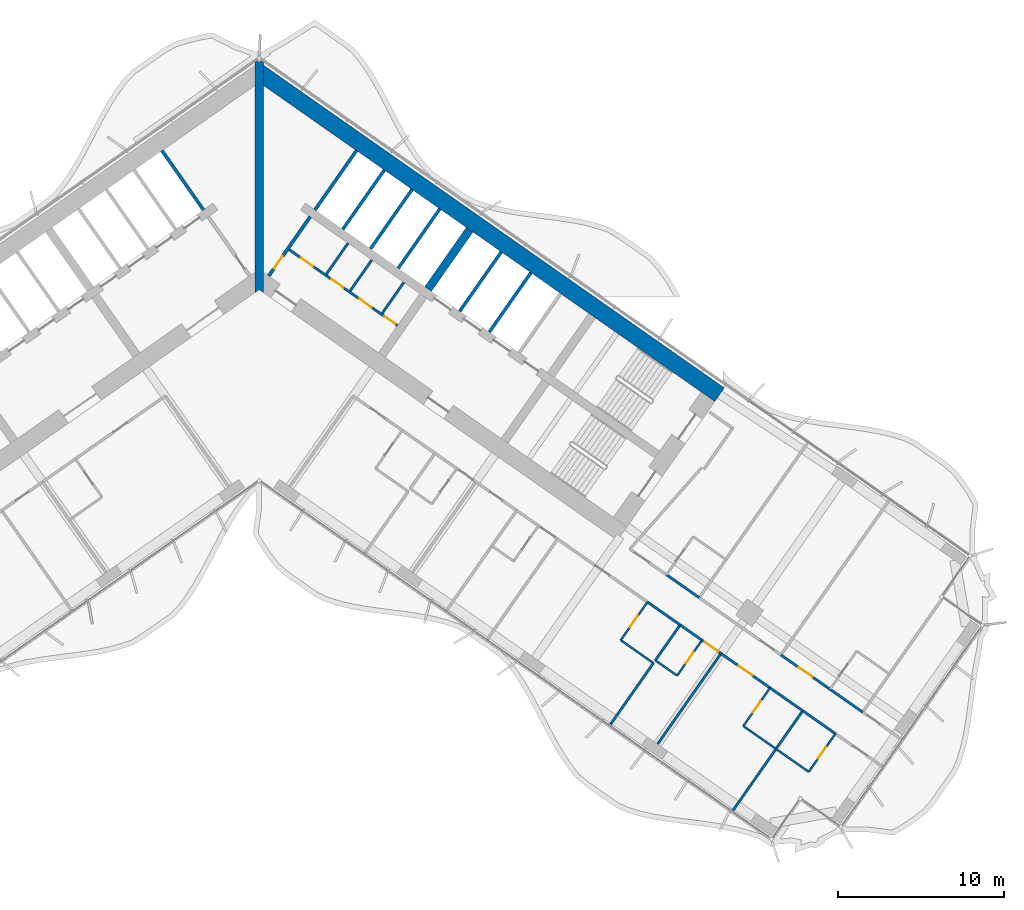
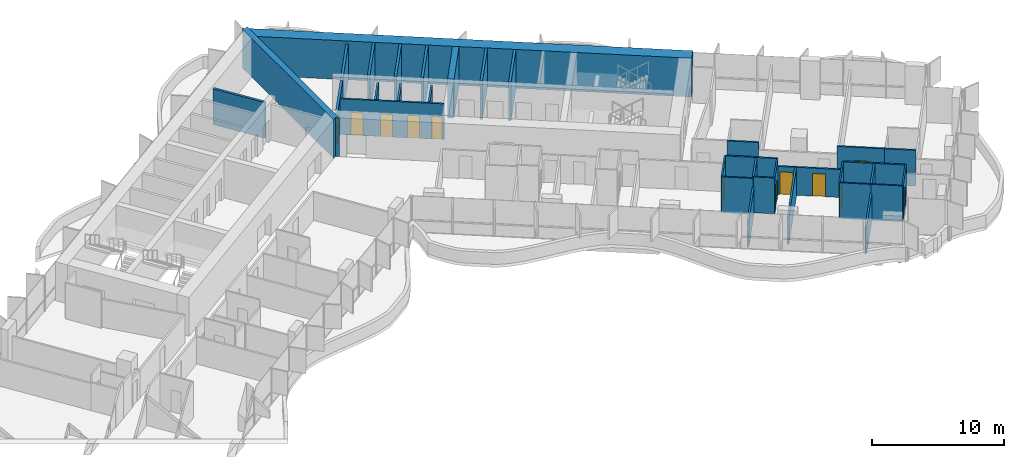
# One storey, part 16 of 24: 37 walls, 12 doors, 12 openings.
"""IFC4 building model written with IfcOpenShell, lengths in metres."""

from ifc_helpers import new_model, si_unit, direction, frame, frame_2d, origin, place, context, subcontext, project, spatial, polyline, rectangle, outline, extrude, material, layer, layer_set, type_object, element, fill, save


model = new_model("IFC4")

# Units and contexts
model_context = context("Model", 3, precision=1e-05, world=origin(), true_north=direction((0.0, 1.0)))
body_context = subcontext(model_context, "Body", "Model", "MODEL_VIEW")
ifc_project = project(units=[si_unit("LENGTHUNIT", "METRE"), si_unit("AREAUNIT", "SQUARE_METRE"), si_unit("VOLUMEUNIT", "CUBIC_METRE"), si_unit("PLANEANGLEUNIT", "RADIAN"), si_unit("MASSUNIT", "GRAM", prefix="KILO")], contexts=[model_context])

# Site, building, storey
site_placement = place(None, origin())
site = spatial("IfcSite", under=ifc_project, at=site_placement, CompositionType="ELEMENT")
building_placement = place(site_placement, origin())
building = spatial("IfcBuilding", under=site, at=building_placement, Name="Tel Ilan Convention Tower", CompositionType="ELEMENT")
storey_placement = place(building_placement, frame((0.0, 0.0, 65.300048828125)))
storey = spatial("IfcBuildingStorey", under=building, at=storey_placement, Name="L11", CompositionType="ELEMENT", Elevation=65.300048828125)

# Wall, openings, doors
ifc_material_1 = material(Name="Gypsum Plasterboard on Steel Stud", Category="steel")
ifc_layer_1 = layer(ifc_material_1, 0.14990234375)
ifc_layer_set_1 = layer_set([ifc_layer_1], Name="Core Room Partition Wall 150 mm EI 60")
wall_type_1 = type_object("IfcWallType", Name="Core Room Partition Wall 150 mm EI 60", PredefinedType="PARTITIONING", material=ifc_layer_set_1)
wall_1_placement = place(storey_placement, frame((1.802490234375, 1.179443359375, 0.0), z_axis=(0.0, 0.0, 1.0), x_axis=(0.819142461705, -0.573590121456, 0.0)))
wall_1 = element("IfcWall", 1, at=wall_1_placement, inside=storey, type_object=wall_type_1, Name="L11 core wall wc-h1", PredefinedType="PARTITIONING", context=body_context, shape_type="SweptSolid", body=[
    extrude(rectangle(XDim=7.949951171875, YDim=0.14990234375, at=frame_2d((3.97509765625, 0.0))), origin(), (0.0, 0.0, 1.0), 3.320068359375),
])
opening_1_placement = place(wall_1_placement, frame((0.85009765625, 0.0, 0.0)))
opening_1 = element("IfcOpeningElement", 2, at=opening_1_placement, cuts=wall_1, Name="Opening CD1211", PredefinedType="OPENING", context=body_context, shape_type="SweptSolid", body=[
    extrude(rectangle(XDim=0.89990234375, YDim=2.10009765625, at=frame_2d((0.449951171875, 1.050048828125))), frame((0.0, 0.0849609375, 0.0), z_axis=(0.0, -1.0, 0.0), x_axis=(1.0, 0.0, 0.0)), (0.0, 0.0, 1.0), 0.169921875),
])
opening_2_placement = place(wall_1_placement, frame((3.10009765625, 0.0, 0.0)))
opening_2 = element("IfcOpeningElement", 3, at=opening_2_placement, cuts=wall_1, Name="Opening CD1208", PredefinedType="OPENING", context=body_context, shape_type="SweptSolid", body=[
    extrude(rectangle(XDim=0.89990234375, YDim=2.10009765625, at=frame_2d((0.449951171875, 1.050048828125))), frame((0.0, 0.0849609375, 0.0), z_axis=(0.0, -1.0, 0.0), x_axis=(1.0, 0.0, 0.0)), (0.0, 0.0, 1.0), 0.169921875),
])
opening_3_placement = place(wall_1_placement, frame((5.14990234375, 0.0, 0.0)))
opening_3 = element("IfcOpeningElement", 4, at=opening_3_placement, cuts=wall_1, Name="Opening CD1210", PredefinedType="OPENING", context=body_context, shape_type="SweptSolid", body=[
    extrude(rectangle(XDim=0.89990234375, YDim=2.10009765625, at=frame_2d((0.449951171875, 1.050048828125))), frame((0.0, 0.0849609375, 0.0), z_axis=(0.0, -1.0, 0.0), x_axis=(1.0, 0.0, 0.0)), (0.0, 0.0, 1.0), 0.169921875),
])
opening_4_placement = place(wall_1_placement, frame((7.0, 0.0, 0.0)))
opening_4 = element("IfcOpeningElement", 5, at=opening_4_placement, cuts=wall_1, Name="Opening CD1209", PredefinedType="OPENING", context=body_context, shape_type="SweptSolid", body=[
    extrude(rectangle(XDim=0.800048828125, YDim=2.10009765625, at=frame_2d((0.39990234375, 1.050048828125))), frame((0.0, 0.0849609375, 0.0), z_axis=(0.0, -1.0, 0.0), x_axis=(1.0, 0.0, 0.0)), (0.0, 0.0, 1.0), 0.169921875),
])
ifc_material_2 = material(Name="Galvanised Steel Door Leaf", Category="steel")
door_type_1 = type_object("IfcDoorType", Name="Store Door 800 x 2100 FD60", OperationType="NOTDEFINED", PredefinedType="DOOR", material=ifc_material_2)
door_1_placement = place(opening_4_placement, origin())
door_1 = element("IfcDoor", 6, at=door_1_placement, inside=storey, type_object=door_type_1, Name="Cleaner's store door", OperationType="SINGLE_SWING_RIGHT", OverallHeight=2.10009765625, OverallWidth=0.800048828125, PredefinedType="DOOR", context=body_context, shape_type="SweptSolid", body=[
    extrude(rectangle(XDim=0.800048828125, YDim=2.10009765625, at=frame_2d((0.39990234375, 1.050048828125))), frame((0.0, 0.02490234375, 0.0), z_axis=(0.0, -1.0, 0.0), x_axis=(1.0, 0.0, 0.0)), (0.0, 0.0, 1.0), 0.050048828125),
])
fill(opening_4, door_1)
ifc_material_3 = material(Name="Laminated Timber Door Leaf", Category="wood")
door_type_2 = type_object("IfcDoorType", Name="Toilet Door 900 x 2100 FD30S", OperationType="NOTDEFINED", PredefinedType="DOOR", material=ifc_material_3)
door_2_placement = place(opening_1_placement, origin())
door_2 = element("IfcDoor", 7, at=door_2_placement, inside=storey, type_object=door_type_2, Name="Women's WC door", OperationType="SINGLE_SWING_RIGHT", OverallHeight=2.10009765625, OverallWidth=0.89990234375, PredefinedType="DOOR", context=body_context, shape_type="SweptSolid", body=[
    extrude(rectangle(XDim=0.89990234375, YDim=2.10009765625, at=frame_2d((0.449951171875, 1.050048828125))), frame((0.0, 0.02490234375, 0.0), z_axis=(0.0, -1.0, 0.0), x_axis=(1.0, 0.0, 0.0)), (0.0, 0.0, 1.0), 0.050048828125),
])
fill(opening_1, door_2)
door_3_placement = place(opening_2_placement, origin())
door_3 = element("IfcDoor", 8, at=door_3_placement, inside=storey, type_object=door_type_2, Name="Accessible WC door", OperationType="SINGLE_SWING_RIGHT", OverallHeight=2.10009765625, OverallWidth=0.89990234375, PredefinedType="DOOR", context=body_context, shape_type="SweptSolid", body=[
    extrude(rectangle(XDim=0.89990234375, YDim=2.10009765625, at=frame_2d((0.449951171875, 1.050048828125))), frame((0.0, 0.02490234375, 0.0), z_axis=(0.0, -1.0, 0.0), x_axis=(1.0, 0.0, 0.0)), (0.0, 0.0, 1.0), 0.050048828125),
])
fill(opening_2, door_3)
door_4_placement = place(opening_3_placement, origin())
door_4 = element("IfcDoor", 9, at=door_4_placement, inside=storey, type_object=door_type_2, Name="Men's WC door", OperationType="SINGLE_SWING_RIGHT", OverallHeight=2.10009765625, OverallWidth=0.89990234375, PredefinedType="DOOR", context=body_context, shape_type="SweptSolid", body=[
    extrude(rectangle(XDim=0.89990234375, YDim=2.10009765625, at=frame_2d((0.449951171875, 1.050048828125))), frame((0.0, 0.02490234375, 0.0), z_axis=(0.0, -1.0, 0.0), x_axis=(1.0, 0.0, 0.0)), (0.0, 0.0, 1.0), 0.050048828125),
])
fill(opening_3, door_4)

# Walls
for number, where, z_axis, x_axis, name in (
    (10, (4.03662109375, -0.29345703125, 0.0), (0.0, 0.0, 1.0), (0.573599181114, 0.819136117764, 0.0), "L11 core wall wc-v0"),
    (11, (5.47021484375, -1.297119140625, 0.0), (0.0, 0.0, 1.0), (0.573599181114, 0.819136117764, 0.0), "L11 core wall wc-v1"),
    (12, (7.395263671875, -2.64501953125, 0.0), (0.0, 0.0, 1.0), (0.573599181114, 0.819136117764, 0.0), "L11 core wall wc-v2"),
):
    element("IfcWall", number, at=place(storey_placement, frame(where, z_axis=z_axis, x_axis=x_axis)), inside=storey, type_object=wall_type_1, Name=name, PredefinedType="PARTITIONING", context=body_context, shape_type="SweptSolid", body=[
        extrude(rectangle(XDim=2.27490234375, YDim=0.14990234375, at=frame_2d((1.137451171875, 0.0))), origin(), (0.0, 0.0, 1.0), 3.320068359375),
    ])
ifc_material_4 = material(Name="Concrete C30/37", Category="concrete")
ifc_layer_2 = layer(ifc_material_4, 0.199951171875)
ifc_layer_set_2 = layer_set([ifc_layer_2], Name="Core Service Room Wall 200 mm C30/37")
wall_type_2 = type_object("IfcWallType", Name="Core Service Room Wall 200 mm C30/37", PredefinedType="SOLIDWALL", material=ifc_layer_set_2)
wall_2_placement = place(storey_placement, frame((-3.355224609375, 3.5712890625, 0.0), z_axis=(0.0, 0.0, 1.0), x_axis=(-0.57356780395, 0.819158088694, 0.0)))
element("IfcWall", 13, at=wall_2_placement, inside=storey, type_object=wall_type_2, Name="L11 core wall apex-W-b", PredefinedType="SOLIDWALL", context=body_context, shape_type="SweptSolid", body=[
    extrude(rectangle(XDim=4.35009765625, YDim=0.199951171875, at=frame_2d((2.175048828125, 0.0))), origin(), (0.0, 0.0, 1.0), 3.320068359375),
])

# Wall, opening, door
wall_3_placement = place(storey_placement, frame((0.573486328125, -0.401611328125, 0.0), z_axis=(0.0, 0.0, 1.0), x_axis=(0.57356780395, 0.819158088694, 0.0)))
wall_3 = element("IfcWall", 14, at=wall_3_placement, inside=storey, type_object=wall_type_2, Name="L11 core wall apex-E", PredefinedType="SOLIDWALL", context=body_context, shape_type="SweptSolid", body=[
    extrude(rectangle(XDim=4.35009765625, YDim=0.199951171875, at=frame_2d((2.175048828125, 0.0))), origin(), (0.0, 0.0, 1.0), 3.320068359375),
])
opening_5_placement = place(wall_3_placement, frame((0.550048828125, 0.0, 0.0)))
opening_5 = element("IfcOpeningElement", 15, at=opening_5_placement, cuts=wall_3, Name="Opening CD1201", PredefinedType="OPENING", context=body_context, shape_type="SweptSolid", body=[
    extrude(rectangle(XDim=0.89990234375, YDim=2.10009765625, at=frame_2d((0.449951171875, 1.050048828125))), frame((0.0, 0.10986328125, 0.0), z_axis=(0.0, -1.0, 0.0), x_axis=(1.0, 0.0, 0.0)), (0.0, 0.0, 1.0), 0.219970703125),
])
ifc_material_5 = material(Name="Galvanised Steel Door Leaf", Category="steel")
door_type_3 = type_object("IfcDoorType", Name="Service Room Door 900 x 2100 FD60", OperationType="NOTDEFINED", PredefinedType="DOOR", material=ifc_material_5)
door_5_placement = place(opening_5_placement, origin())
door_5 = element("IfcDoor", 16, at=door_5_placement, inside=storey, type_object=door_type_3, Name="Data Room door", OperationType="SINGLE_SWING_RIGHT", OverallHeight=2.10009765625, OverallWidth=0.89990234375, PredefinedType="DOOR", context=body_context, shape_type="SweptSolid", body=[
    extrude(rectangle(XDim=0.89990234375, YDim=2.10009765625, at=frame_2d((0.449951171875, 1.050048828125))), frame((0.0, 0.02490234375, 0.0), z_axis=(0.0, -1.0, 0.0), x_axis=(1.0, 0.0, 0.0)), (0.0, 0.0, 1.0), 0.050048828125),
])
fill(opening_5, door_5)

# Walls
wall_4_placement = place(storey_placement, frame((3.355224609375, 3.5712890625, 0.0), z_axis=(0.0, 0.0, 1.0), x_axis=(0.57356780395, 0.819158088694, 0.0)))
element("IfcWall", 17, at=wall_4_placement, inside=storey, type_object=wall_type_2, Name="L11 core wall apex-E-b", PredefinedType="SOLIDWALL", context=body_context, shape_type="SweptSolid", body=[
    extrude(rectangle(XDim=4.35009765625, YDim=0.199951171875, at=frame_2d((2.175048828125, 0.0))), origin(), (0.0, 0.0, 1.0), 3.320068359375),
])
ifc_material_6 = material(Name="Concrete C60/75", Category="concrete")
ifc_layer_3 = layer(ifc_material_6, 1.0)
ifc_layer_set_3 = layer_set([ifc_layer_3], Name="Core Shear Wall 1000 mm C60/75")
wall_type_3 = type_object("IfcWallType", Name="Core Shear Wall 1000 mm C60/75", PredefinedType="SHEAR", material=ifc_layer_set_3)
wall_5_placement = place(storey_placement, frame((-0.036865234375, 11.8671875, 0.0), z_axis=(0.0, 0.0, 1.0), x_axis=(0.819155306259, -0.573571777746, 0.0)))
element("IfcWall", 18, at=wall_5_placement, inside=storey, type_object=wall_type_3, Name="L11 core wall E-back", PredefinedType="SHEAR", context=body_context, shape_type="SweptSolid", body=[
    extrude(outline(polyline([(33.8369140625, 0.5), (0.0, 0.5), (0.7001953125, -0.499755859375), (33.8369140625, -0.5), (33.8369140625, 0.5)])), origin(), (0.0, 0.0, 1.0), 3.599853515625),
])
ifc_material_7 = material(Name="Concrete C60/75", Category="concrete")
ifc_layer_4 = layer(ifc_material_7, 0.5)
ifc_layer_set_4 = layer_set([ifc_layer_4], Name="Core Shear Wall 500 mm C60/75")
wall_type_4 = type_object("IfcWallType", Name="Core Shear Wall 500 mm C60/75", PredefinedType="SHEAR", material=ifc_layer_set_4)
wall_6_placement = place(storey_placement, frame((10.154296875, -1.189208984375, 0.0), z_axis=(0.0, 0.0, 1.0), x_axis=(0.573594173421, 0.819139624372, 0.0)))
element("IfcWall", 19, at=wall_6_placement, inside=storey, type_object=wall_type_4, Name="L11 core wall E-cross1-2", PredefinedType="SHEAR", context=body_context, shape_type="SweptSolid", body=[
    extrude(outline(polyline([(4.349853515625, -0.25), (4.349853515625, 0.25), (-0.000244140625, 0.25), (-0.000244140625, -0.25), (4.349853515625, -0.25)])), origin(), (0.0, 0.0, 1.0), 3.599853515625),
])
wall_7_placement = place(storey_placement, frame((0.0, -1.395751953125, 0.0), z_axis=(0.0, 0.0, 1.0), x_axis=(0.0, 1.0, 0.0)))
element("IfcWall", 20, at=wall_7_placement, inside=storey, type_object=wall_type_4, Name="L11 core wall K-central", PredefinedType="SHEAR", context=body_context, shape_type="SweptSolid", body=[
    extrude(outline(polyline([(0.0, -0.25), (0.175048828125, -0.25), (1.220703125, -0.25), (12.451904296875, -0.25), (13.84765625, -0.25), (13.85693359375, -0.25), (13.96826171875, -0.172119140625), (13.84765625, 0.0), (13.96826171875, 0.172119140625), (13.85693359375, 0.25), (13.84765625, 0.25), (12.451904296875, 0.25), (1.220703125, 0.25), (0.175048828125, 0.25), (0.0, 0.25), (0.175048828125, 0.0), (0.0, -0.25)])), origin(), (0.0, 0.0, 1.0), 3.599853515625),
])
ifc_material_8 = material(Name="Plasterboard on Steel Studs", Category="steel")
ifc_layer_5 = layer(ifc_material_8, 0.14990234375)
ifc_layer_set_5 = layer_set([ifc_layer_5], Name="Fire-rated Partition 150 EI 60")
wall_type_5 = type_object("IfcWallType", Name="Fire-rated Partition 150 EI 60", PredefinedType="PARTITIONING", material=ifc_layer_set_5)
wall_8_placement = place(storey_placement, frame((24.49072265625, -18.369384765625, 0.0), z_axis=(0.0, 0.0, 1.0), x_axis=(0.819179439794, -0.573537309527, 0.0)))
element("IfcWall", 21, at=wall_8_placement, inside=storey, type_object=wall_type_5, Name="Partition 002", PredefinedType="PARTITIONING", context=body_context, shape_type="SweptSolid", body=[
    extrude(rectangle(XDim=2.404296875, YDim=0.14990234375, at=frame_2d((1.2021484375, 0.0))), origin(), (0.0, 0.0, 1.0), 3.320068359375),
])

# Wall, opening, door
wall_9_placement = place(storey_placement, frame((31.37158203125, -23.1875, 0.0), z_axis=(0.0, 0.0, 1.0), x_axis=(0.819145961204, -0.573585123798, 0.0)))
wall_9 = element("IfcWall", 22, at=wall_9_placement, inside=storey, type_object=wall_type_5, Name="Partition 004", PredefinedType="PARTITIONING", context=body_context, shape_type="SweptSolid", body=[
    extrude(rectangle(XDim=3.60302734375, YDim=0.14990234375, at=frame_2d((1.801513671875, 0.0))), origin(), (0.0, 0.0, 1.0), 3.320068359375),
])
opening_6_placement = place(wall_9_placement, frame((1.302001953125, 0.0, 0.0)))
opening_6 = element("IfcOpeningElement", 23, at=opening_6_placement, cuts=wall_9, Name="Opening L11-038", PredefinedType="OPENING", context=body_context, shape_type="SweptSolid", body=[
    extrude(rectangle(XDim=1.0, YDim=2.10009765625, at=frame_2d((0.5, 1.050048828125))), frame((0.0, 0.0849609375, 0.0), z_axis=(0.0, -1.0, 0.0), x_axis=(1.0, 0.0, 0.0)), (0.0, 0.0, 1.0), 0.169921875),
])
ifc_material_9 = material(Name="Timber Door Leaf in Steel Frame", Category="steel")
door_type_4 = type_object("IfcDoorType", Name="Hotel Room Entrance Fire Door 1000x2100", OperationType="NOTDEFINED", PredefinedType="DOOR", material=ifc_material_9)
door_6_placement = place(opening_6_placement, origin())
door_6 = element("IfcDoor", 24, at=door_6_placement, inside=storey, type_object=door_type_4, Name="Door L11-038", OperationType="SINGLE_SWING_RIGHT", OverallHeight=2.10009765625, OverallWidth=1.0, PredefinedType="DOOR", context=body_context, shape_type="SweptSolid", body=[
    extrude(rectangle(XDim=1.0, YDim=2.10009765625, at=frame_2d((0.5, 1.050048828125))), frame((0.0, 0.02490234375, 0.0), z_axis=(0.0, -1.0, 0.0), x_axis=(1.0, 0.0, 0.0)), (0.0, 0.0, 1.0), 0.050048828125),
])
fill(opening_6, door_6)

# Walls
wall_10_placement = place(storey_placement, frame((34.32080078125, -25.25244140625, 0.0), z_axis=(0.0, 0.0, 1.0), x_axis=(0.819160338113, -0.573564591361, 0.0)))
element("IfcWall", 25, at=wall_10_placement, inside=storey, type_object=wall_type_5, Name="Partition 005", PredefinedType="PARTITIONING", context=body_context, shape_type="SweptSolid", body=[
    extrude(rectangle(XDim=2.403564453125, YDim=0.14990234375, at=frame_2d((1.20166015625, 0.0))), origin(), (0.0, 0.0, 1.0), 3.320068359375),
])
wall_11_placement = place(storey_placement, frame((25.31298828125, -21.38671875, 0.0), z_axis=(0.0, 0.0, 1.0), x_axis=(-0.819146032251, 0.573585022335, 0.0)))
element("IfcWall", 26, at=wall_11_placement, inside=storey, type_object=wall_type_5, Name="Partition 015", PredefinedType="PARTITIONING", context=body_context, shape_type="SweptSolid", body=[
    extrude(rectangle(XDim=2.404052734375, YDim=0.14990234375, at=frame_2d((1.2021484375, 0.0))), origin(), (0.0, 0.0, 1.0), 3.320068359375),
])

# Wall, opening, door
wall_12_placement = place(storey_placement, frame((27.7705078125, -23.107421875, 0.0), z_axis=(0.0, 0.0, 1.0), x_axis=(-0.819117471667, 0.573625808005, 0.0)))
wall_12 = element("IfcWall", 27, at=wall_12_placement, inside=storey, type_object=wall_type_5, Name="Partition 016", PredefinedType="PARTITIONING", context=body_context, shape_type="SweptSolid", body=[
    extrude(rectangle(XDim=1.4033203125, YDim=0.14990234375, at=frame_2d((0.70166015625, 0.0))), origin(), (0.0, 0.0, 1.0), 2.599853515625),
])
opening_7_placement = place(wall_12_placement, frame((0.201904296875, 0.0, 0.0)))
opening_7 = element("IfcOpeningElement", 28, at=opening_7_placement, cuts=wall_12, Name="Opening L11-029", PredefinedType="OPENING", context=body_context, shape_type="SweptSolid", body=[
    extrude(rectangle(XDim=1.0, YDim=2.10009765625, at=frame_2d((0.5, 1.050048828125))), frame((0.0, 0.0849609375, 0.0), z_axis=(0.0, -1.0, 0.0), x_axis=(1.0, 0.0, 0.0)), (0.0, 0.0, 1.0), 0.169921875),
])
door_7_placement = place(opening_7_placement, origin())
door_7 = element("IfcDoor", 29, at=door_7_placement, inside=storey, type_object=door_type_4, Name="Door L11-029", OperationType="SINGLE_SWING_RIGHT", OverallHeight=2.10009765625, OverallWidth=1.0, PredefinedType="DOOR", context=body_context, shape_type="SweptSolid", body=[
    extrude(rectangle(XDim=1.0, YDim=2.10009765625, at=frame_2d((0.5, 1.050048828125))), frame((0.0, 0.02490234375, 0.0), z_axis=(0.0, -1.0, 0.0), x_axis=(1.0, 0.0, 0.0)), (0.0, 0.0, 1.0), 0.050048828125),
])
fill(opening_7, door_7)

# Wall
wall_13_placement = place(storey_placement, frame((26.62353515625, -22.30419921875, 0.0), z_axis=(0.0, 0.0, 1.0), x_axis=(-0.819189013667, 0.573523634986, 0.0)))
element("IfcWall", 30, at=wall_13_placement, inside=storey, type_object=wall_type_5, Name="Partition 017", PredefinedType="PARTITIONING", context=body_context, shape_type="SweptSolid", body=[
    extrude(rectangle(XDim=1.60400390625, YDim=0.14990234375, at=frame_2d((0.802001953125, 0.0))), origin(), (0.0, 0.0, 1.0), 3.320068359375),
])

# Wall, opening, door
wall_14_placement = place(storey_placement, frame((30.718505859375, -25.171630859375, 0.0), z_axis=(0.0, 0.0, 1.0), x_axis=(-0.819145961204, 0.573585123798, 0.0)))
wall_14 = element("IfcWall", 31, at=wall_14_placement, inside=storey, type_object=wall_type_5, Name="Partition 018", PredefinedType="PARTITIONING", context=body_context, shape_type="SweptSolid", body=[
    extrude(rectangle(XDim=3.60302734375, YDim=0.14990234375, at=frame_2d((1.801513671875, 0.0))), origin(), (0.0, 0.0, 1.0), 2.599853515625),
])
opening_8_placement = place(wall_14_placement, frame((1.301025390625, 0.0, 0.0)))
opening_8 = element("IfcOpeningElement", 32, at=opening_8_placement, cuts=wall_14, Name="Opening L11-031", PredefinedType="OPENING", context=body_context, shape_type="SweptSolid", body=[
    extrude(rectangle(XDim=1.0, YDim=2.10009765625, at=frame_2d((0.5, 1.050048828125))), frame((0.0, 0.0849609375, 0.0), z_axis=(0.0, -1.0, 0.0), x_axis=(1.0, 0.0, 0.0)), (0.0, 0.0, 1.0), 0.169921875),
])
door_8_placement = place(opening_8_placement, origin())
door_8 = element("IfcDoor", 33, at=door_8_placement, inside=storey, type_object=door_type_4, Name="Door L11-031", OperationType="SINGLE_SWING_LEFT", OverallHeight=2.10009765625, OverallWidth=1.0, PredefinedType="DOOR", context=body_context, shape_type="SweptSolid", body=[
    extrude(rectangle(XDim=1.0, YDim=2.10009765625, at=frame_2d((0.5, 1.050048828125))), frame((0.0, 0.02490234375, 0.0), z_axis=(0.0, -1.0, 0.0), x_axis=(1.0, 0.0, 0.0)), (0.0, 0.0, 1.0), 0.050048828125),
])
fill(opening_8, door_8)

# Walls
wall_15_placement = place(storey_placement, frame((32.685302734375, -26.548828125, 0.0), z_axis=(0.0, 0.0, 1.0), x_axis=(-0.819146032251, 0.573585022335, 0.0)))
element("IfcWall", 34, at=wall_15_placement, inside=storey, type_object=wall_type_5, Name="Partition 019", PredefinedType="PARTITIONING", context=body_context, shape_type="SweptSolid", body=[
    extrude(rectangle(XDim=2.404052734375, YDim=0.14990234375, at=frame_2d((1.2021484375, 0.0))), origin(), (0.0, 0.0, 1.0), 3.320068359375),
])
wall_16_placement = place(storey_placement, frame((34.6513671875, -27.92529296875, 0.0), z_axis=(0.0, 0.0, 1.0), x_axis=(-0.819179439794, 0.573537309527, 0.0)))
element("IfcWall", 35, at=wall_16_placement, inside=storey, type_object=wall_type_5, Name="Partition 021", PredefinedType="PARTITIONING", context=body_context, shape_type="SweptSolid", body=[
    extrude(rectangle(XDim=2.404296875, YDim=0.14990234375, at=frame_2d((1.2021484375, 0.0))), origin(), (0.0, 0.0, 1.0), 3.320068359375),
])
wall_17_placement = place(storey_placement, frame((23.70458984375, -23.679931640625, 0.0), z_axis=(0.0, 0.0, 1.0), x_axis=(-0.573553393703, -0.819168178442, 0.0)))
element("IfcWall", 36, at=wall_17_placement, inside=storey, type_object=wall_type_5, Name="Partition 067", PredefinedType="PARTITIONING", context=body_context, shape_type="SweptSolid", body=[
    extrude(rectangle(XDim=4.498779296875, YDim=0.14990234375, at=frame_2d((2.24951171875, 0.0))), origin(), (0.0, 0.0, 1.0), 2.5),
])
wall_18_placement = place(storey_placement, frame((25.311279296875, -21.385498046875, 0.0), z_axis=(0.0, 0.0, 1.0), x_axis=(-0.573588285102, -0.819143747577, 0.0)))
element("IfcWall", 37, at=wall_18_placement, inside=storey, type_object=wall_type_5, Name="Partition 068", PredefinedType="PARTITIONING", context=body_context, shape_type="SweptSolid", body=[
    extrude(rectangle(XDim=2.601806640625, YDim=0.14990234375, at=frame_2d((1.30078125, 0.0))), origin(), (0.0, 0.0, 1.0), 3.320068359375),
])
wall_19_placement = place(storey_placement, frame((27.768798828125, -23.106201171875, 0.0), z_axis=(0.0, 0.0, 1.0), x_axis=(-0.57359826181, -0.819136761505, 0.0)))
element("IfcWall", 38, at=wall_19_placement, inside=storey, type_object=wall_type_5, Name="Partition 071", PredefinedType="PARTITIONING", context=body_context, shape_type="SweptSolid", body=[
    extrude(rectangle(XDim=6.630126953125, YDim=0.14990234375, at=frame_2d((3.31494140625, 0.0))), origin(), (0.0, 0.0, 1.0), 2.599853515625),
])
wall_20_placement = place(storey_placement, frame((31.0771484375, -28.842041015625, 0.0), z_axis=(0.0, 0.0, 1.0), x_axis=(-0.573564311442, -0.819160534108, 0.0)))
element("IfcWall", 39, at=wall_20_placement, inside=storey, type_object=wall_type_5, Name="Partition 074", PredefinedType="PARTITIONING", context=body_context, shape_type="SweptSolid", body=[
    extrude(rectangle(XDim=4.499267578125, YDim=0.14990234375, at=frame_2d((2.24951171875, 0.0))), origin(), (0.0, 0.0, 1.0), 2.5),
])
wall_21_placement = place(storey_placement, frame((32.68359375, -26.547607421875, 0.0), z_axis=(0.0, 0.0, 1.0), x_axis=(-0.573550118428, -0.819170471667, 0.0)))
element("IfcWall", 40, at=wall_21_placement, inside=storey, type_object=wall_type_5, Name="Partition 075", PredefinedType="PARTITIONING", context=body_context, shape_type="SweptSolid", body=[
    extrude(rectangle(XDim=2.800048828125, YDim=0.14990234375, at=frame_2d((1.39990234375, 0.0))), origin(), (0.0, 0.0, 1.0), 3.320068359375),
])
ifc_material_10 = material(Name="Concrete C30/37", Category="concrete")
ifc_layer_6 = layer(ifc_material_10, 0.199951171875)
ifc_layer_set_6 = layer_set([ifc_layer_6], Name="Lift Shaft Wall 200 mm C30/37")
wall_type_6 = type_object("IfcWallType", Name="Lift Shaft Wall 200 mm C30/37", PredefinedType="SOLIDWALL", material=ifc_layer_set_6)
wall_22_placement = place(storey_placement, frame((5.0244140625, 2.402587890625, 0.0), z_axis=(0.0, 0.0, 1.0), x_axis=(0.573530143085, 0.819184457233, 0.0)))
element("IfcWall", 41, at=wall_22_placement, inside=storey, type_object=wall_type_6, Name="L11 core wall bank-E1-p0", PredefinedType="SOLIDWALL", context=body_context, shape_type="SweptSolid", body=[
    extrude(rectangle(XDim=4.35009765625, YDim=0.199951171875, at=frame_2d((2.175048828125, 0.0))), origin(), (0.0, 0.0, 1.0), 3.599853515625),
])
for number, where, z_axis, x_axis, name in (
    (42, (6.693359375, 1.234130859375, 0.0), (0.0, 0.0, 1.0), (0.573594173421, 0.819139624372, 0.0), "L11 core wall bank-E1-p1"),
    (43, (8.3623046875, 0.0654296875, 0.0), (0.0, 0.0, 1.0), (0.573594173421, 0.819139624372, 0.0), "L11 core wall bank-E1-p2"),
    (44, (12.05859375, -2.52294921875, 0.0), (0.0, 0.0, 1.0), (0.573594173421, 0.819139624372, 0.0), "L11 core wall bank-E2-p0"),
):
    element("IfcWall", number, at=place(storey_placement, frame(where, z_axis=z_axis, x_axis=x_axis)), inside=storey, type_object=wall_type_6, Name=name, PredefinedType="SOLIDWALL", context=body_context, shape_type="SweptSolid", body=[
        extrude(rectangle(XDim=4.349853515625, YDim=0.199951171875, at=frame_2d((2.1748046875, 0.0))), origin(), (0.0, 0.0, 1.0), 3.599853515625),
    ])
wall_23_placement = place(storey_placement, frame((13.84033203125, -3.7705078125, 0.0), z_axis=(0.0, 0.0, 1.0), x_axis=(0.57356780395, 0.819158088694, 0.0)))
element("IfcWall", 45, at=wall_23_placement, inside=storey, type_object=wall_type_6, Name="L11 core wall bank-E2-p1", PredefinedType="SOLIDWALL", context=body_context, shape_type="SweptSolid", body=[
    extrude(rectangle(XDim=4.35009765625, YDim=0.199951171875, at=frame_2d((2.175048828125, 0.0))), origin(), (0.0, 0.0, 1.0), 3.599853515625),
])

# Wall, opening, door
ifc_material_11 = material(Name="Plasterboard on Steel Studs", Category="steel")
ifc_layer_7 = layer(ifc_material_11, 0.1201171875)
ifc_layer_set_7 = layer_set([ifc_layer_7], Name="Moisture-resistant Partition 120")
wall_type_7 = type_object("IfcWallType", Name="Moisture-resistant Partition 120", PredefinedType="PARTITIONING", material=ifc_layer_set_7)
wall_24_placement = place(storey_placement, frame((23.344482421875, -20.00830078125, 0.0), z_axis=(0.0, 0.0, 1.0), x_axis=(-0.573550118428, -0.819170471667, 0.0)))
wall_24 = element("IfcWall", 46, at=wall_24_placement, inside=storey, type_object=wall_type_7, Name="Partition 065", PredefinedType="PARTITIONING", context=body_context, shape_type="SweptSolid", body=[
    extrude(rectangle(XDim=2.800048828125, YDim=0.1201171875, at=frame_2d((1.39990234375, 0.0))), origin(), (0.0, 0.0, 1.0), 3.320068359375),
])
opening_9_placement = place(wall_24_placement, frame((0.97509765625, 0.0, 0.0)))
opening_9 = element("IfcOpeningElement", 47, at=opening_9_placement, cuts=wall_24, Name="Opening L11-026", PredefinedType="OPENING", context=body_context, shape_type="SweptSolid", body=[
    extrude(rectangle(XDim=0.85009765625, YDim=2.050048828125, at=frame_2d((0.425048828125, 1.02490234375))), frame((0.0, 0.070068359375, 0.0), z_axis=(0.0, -1.0, 0.0), x_axis=(1.0, 0.0, 0.0)), (0.0, 0.0, 1.0), 0.14013671875),
])
ifc_material_12 = material(Name="Timber Door Leaf in Steel Frame", Category="steel")
door_type_5 = type_object("IfcDoorType", Name="Bathroom Timber Door 850x2050", OperationType="NOTDEFINED", PredefinedType="DOOR", material=ifc_material_12)
door_9_placement = place(opening_9_placement, origin())
door_9 = element("IfcDoor", 48, at=door_9_placement, inside=storey, type_object=door_type_5, Name="Door L11-026", OperationType="SINGLE_SWING_RIGHT", OverallHeight=2.050048828125, OverallWidth=0.85009765625, PredefinedType="DOOR", context=body_context, shape_type="SweptSolid", body=[
    extrude(rectangle(XDim=0.85009765625, YDim=2.050048828125, at=frame_2d((0.425048828125, 1.02490234375))), frame((0.0, 0.02490234375, 0.0), z_axis=(0.0, -1.0, 0.0), x_axis=(1.0, 0.0, 0.0)), (0.0, 0.0, 1.0), 0.050048828125),
])
fill(opening_9, door_9)

# Walls
wall_25_placement = place(storey_placement, frame((21.73876953125, -22.30322265625, 0.0), z_axis=(0.0, 0.0, 1.0), x_axis=(0.819107643868, -0.573639841501, 0.0)))
element("IfcWall", 49, at=wall_25_placement, inside=storey, type_object=wall_type_7, Name="Partition 066", PredefinedType="PARTITIONING", context=body_context, shape_type="SweptSolid", body=[
    extrude(rectangle(XDim=2.39990234375, YDim=0.1201171875, at=frame_2d((1.199951171875, 0.0))), origin(), (0.0, 0.0, 1.0), 3.320068359375),
])
wall_26_placement = place(storey_placement, frame((23.8193359375, -23.51611328125, 0.0), z_axis=(0.0, 0.0, 1.0), x_axis=(0.81918174131, -0.573534022273, 0.0)))
element("IfcWall", 50, at=wall_26_placement, inside=storey, type_object=wall_type_7, Name="Partition 069", PredefinedType="PARTITIONING", context=body_context, shape_type="SweptSolid", body=[
    extrude(rectangle(XDim=1.60009765625, YDim=0.1201171875, at=frame_2d((0.800048828125, 0.0))), origin(), (0.0, 0.0, 1.0), 3.320068359375),
])

# Wall, opening, door
wall_27_placement = place(storey_placement, frame((25.131591796875, -24.43359375, 0.0), z_axis=(0.0, 0.0, 1.0), x_axis=(0.573537965655, 0.819178980414, 0.0)))
wall_27 = element("IfcWall", 51, at=wall_27_placement, inside=storey, type_object=wall_type_7, Name="Partition 070", PredefinedType="PARTITIONING", context=body_context, shape_type="SweptSolid", body=[
    extrude(rectangle(XDim=2.60009765625, YDim=0.1201171875, at=frame_2d((1.300048828125, 0.0))), origin(), (0.0, 0.0, 1.0), 3.320068359375),
])
opening_10_placement = place(wall_27_placement, frame((0.875, 0.0, 0.0)))
opening_10 = element("IfcOpeningElement", 52, at=opening_10_placement, cuts=wall_27, Name="Opening L11-028", PredefinedType="OPENING", context=body_context, shape_type="SweptSolid", body=[
    extrude(rectangle(XDim=0.85009765625, YDim=2.050048828125, at=frame_2d((0.425048828125, 1.02490234375))), frame((0.0, 0.070068359375, 0.0), z_axis=(0.0, -1.0, 0.0), x_axis=(1.0, 0.0, 0.0)), (0.0, 0.0, 1.0), 0.14013671875),
])
door_10_placement = place(opening_10_placement, origin())
door_10 = element("IfcDoor", 53, at=door_10_placement, inside=storey, type_object=door_type_5, Name="Door L11-028", OperationType="SINGLE_SWING_LEFT", OverallHeight=2.050048828125, OverallWidth=0.85009765625, PredefinedType="DOOR", context=body_context, shape_type="SweptSolid", body=[
    extrude(rectangle(XDim=0.85009765625, YDim=2.050048828125, at=frame_2d((0.425048828125, 1.02490234375))), frame((0.0, 0.02490234375, 0.0), z_axis=(0.0, -1.0, 0.0), x_axis=(1.0, 0.0, 0.0)), (0.0, 0.0, 1.0), 0.050048828125),
])
fill(opening_10, door_10)

wall_28_placement = place(storey_placement, frame((30.716796875, -25.17041015625, 0.0), z_axis=(0.0, 0.0, 1.0), x_axis=(-0.573550118428, -0.819170471667, 0.0)))
wall_28 = element("IfcWall", 54, at=wall_28_placement, inside=storey, type_object=wall_type_7, Name="Partition 072", PredefinedType="PARTITIONING", context=body_context, shape_type="SweptSolid", body=[
    extrude(rectangle(XDim=2.800048828125, YDim=0.1201171875, at=frame_2d((1.39990234375, 0.0))), origin(), (0.0, 0.0, 1.0), 3.320068359375),
])
opening_11_placement = place(wall_28_placement, frame((0.97509765625, 0.0, 0.0)))
opening_11 = element("IfcOpeningElement", 55, at=opening_11_placement, cuts=wall_28, Name="Opening L11-030", PredefinedType="OPENING", context=body_context, shape_type="SweptSolid", body=[
    extrude(rectangle(XDim=0.85009765625, YDim=2.050048828125, at=frame_2d((0.425048828125, 1.02490234375))), frame((0.0, 0.070068359375, 0.0), z_axis=(0.0, -1.0, 0.0), x_axis=(1.0, 0.0, 0.0)), (0.0, 0.0, 1.0), 0.14013671875),
])
door_11_placement = place(opening_11_placement, origin())
door_11 = element("IfcDoor", 56, at=door_11_placement, inside=storey, type_object=door_type_5, Name="Door L11-030", OperationType="SINGLE_SWING_RIGHT", OverallHeight=2.050048828125, OverallWidth=0.85009765625, PredefinedType="DOOR", context=body_context, shape_type="SweptSolid", body=[
    extrude(rectangle(XDim=0.85009765625, YDim=2.050048828125, at=frame_2d((0.425048828125, 1.02490234375))), frame((0.0, 0.02490234375, 0.0), z_axis=(0.0, -1.0, 0.0), x_axis=(1.0, 0.0, 0.0)), (0.0, 0.0, 1.0), 0.050048828125),
])
fill(opening_11, door_11)

# Walls
for number, where, z_axis, x_axis, name in (
    (57, (29.111083984375, -27.465576171875, 0.0), (0.0, 0.0, 1.0), (0.819188907105, -0.573523787192, 0.0), "Partition 073"),
    (58, (31.0771484375, -28.842041015625, 0.0), (0.0, 0.0, 1.0), (0.819107643868, -0.573639841501, 0.0), "Partition 076"),
):
    element("IfcWall", number, at=place(storey_placement, frame(where, z_axis=z_axis, x_axis=x_axis)), inside=storey, type_object=wall_type_7, Name=name, PredefinedType="PARTITIONING", context=body_context, shape_type="SweptSolid", body=[
        extrude(rectangle(XDim=2.39990234375, YDim=0.1201171875, at=frame_2d((1.199951171875, 0.0))), origin(), (0.0, 0.0, 1.0), 3.320068359375),
    ])

# Wall, opening, door
wall_29_placement = place(storey_placement, frame((33.04443359375, -30.218505859375, 0.0), z_axis=(0.0, 0.0, 1.0), x_axis=(0.573550118428, 0.819170471667, 0.0)))
wall_29 = element("IfcWall", 59, at=wall_29_placement, inside=storey, type_object=wall_type_7, Name="Partition 077", PredefinedType="PARTITIONING", context=body_context, shape_type="SweptSolid", body=[
    extrude(rectangle(XDim=2.800048828125, YDim=0.1201171875, at=frame_2d((1.39990234375, 0.0))), origin(), (0.0, 0.0, 1.0), 3.320068359375),
])
opening_12_placement = place(wall_29_placement, frame((0.97509765625, 0.0, 0.0)))
opening_12 = element("IfcOpeningElement", 60, at=opening_12_placement, cuts=wall_29, Name="Opening L11-032", PredefinedType="OPENING", context=body_context, shape_type="SweptSolid", body=[
    extrude(rectangle(XDim=0.85009765625, YDim=2.050048828125, at=frame_2d((0.425048828125, 1.02490234375))), frame((0.0, 0.070068359375, 0.0), z_axis=(0.0, -1.0, 0.0), x_axis=(1.0, 0.0, 0.0)), (0.0, 0.0, 1.0), 0.14013671875),
])
door_12_placement = place(opening_12_placement, origin())
door_12 = element("IfcDoor", 61, at=door_12_placement, inside=storey, type_object=door_type_5, Name="Door L11-032", OperationType="SINGLE_SWING_RIGHT", OverallHeight=2.050048828125, OverallWidth=0.85009765625, PredefinedType="DOOR", context=body_context, shape_type="SweptSolid", body=[
    extrude(rectangle(XDim=0.85009765625, YDim=2.050048828125, at=frame_2d((0.425048828125, 1.02490234375))), frame((0.0, 0.02490234375, 0.0), z_axis=(0.0, -1.0, 0.0), x_axis=(1.0, 0.0, 0.0)), (0.0, 0.0, 1.0), 0.050048828125),
])
fill(opening_12, door_12)

save(model, "model.ifc")
